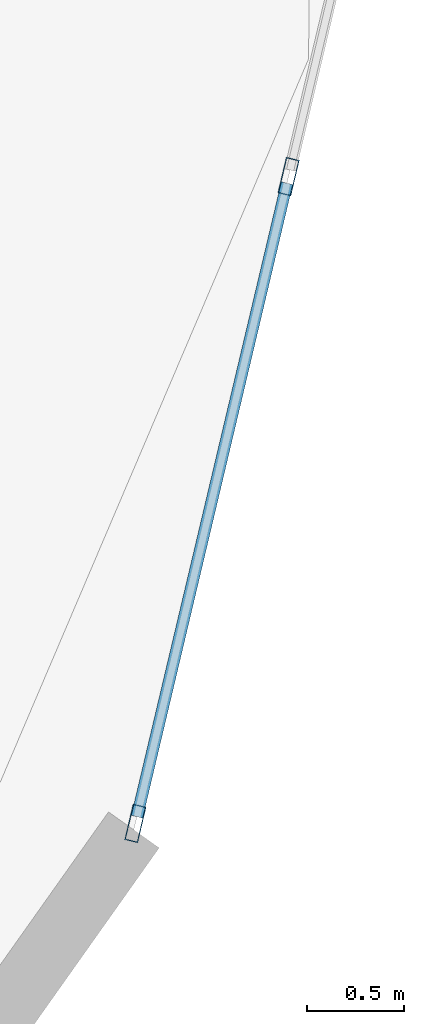
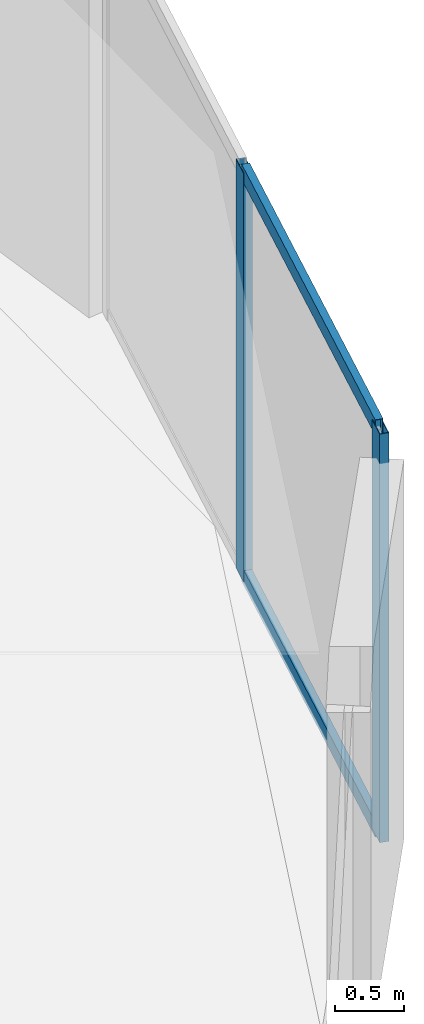
# One storey, part 9 of 24: 4 members, 1 element without a shape of its own.
"""IFC4 building model written with IfcOpenShell, lengths in metres."""

import ifcopenshell
import ifcopenshell.guid

model = None  # the IFC model being written
_history = None  # IfcOwnerHistory: only IFC2X3 demands one
_inside = {}  # id of a spatial element -> (the spatial element, [elements in it])
_under = {}  # id of a project, library or spatial element -> (it, [spatial elements below it])
_declared = {}  # id of a project -> (the project, [libraries it declares])
_typed = {}  # id of a type object -> (the type object, [elements of that type])
_made_of = {}  # id of a material, layer set ... -> (it, [elements and type objects made of it])


def new_model(schema):
    """Start an empty IFC model of exactly this schema.

    Asked for "IFC4X3", IfcOpenShell would pick the latest addendum, in which some entities
    have other attributes; the version numbers below select the first issue.
    IFC2X3 requires an IfcOwnerHistory on every rooted entity: one is made here for all.
    """
    global model, _history
    if schema == "IFC4X3":
        model = ifcopenshell.file(schema_version=(4, 3, 0, 0))
    else:
        model = ifcopenshell.file(schema=schema)
    _inside.clear()
    _under.clear()
    _declared.clear()
    _typed.clear()
    _made_of.clear()
    _history = None
    if model.schema == "IFC2X3":
        org = make("IfcOrganization", Name="unknown")
        user = make(
            "IfcPersonAndOrganization",
            ThePerson=make("IfcPerson", FamilyName="unknown"),
            TheOrganization=org,
        )
        app = make(
            "IfcApplication",
            ApplicationDeveloper=org,
            Version="unknown",
            ApplicationFullName="unknown",
            ApplicationIdentifier="unknown",
        )
        _history = make(
            "IfcOwnerHistory",
            OwningUser=user,
            OwningApplication=app,
            ChangeAction="ADDED",
            CreationDate=0,
        )
    return model


def make(cls, **values):
    """One entity of the class cls with the attributes given. An attribute that is None is left unset."""
    return model.create_entity(
        cls, **{name: value for name, value in values.items() if value is not None}
    )


def rooted(cls, **values):
    """An entity with a GlobalId (a new one), such as an element, a storey or a relation."""
    return make(cls, GlobalId=ifcopenshell.guid.new(), OwnerHistory=_history, **values)


def si_unit(unit_type, name, prefix=None):
    """IfcSIUnit, for example si_unit("LENGTHUNIT", "METRE", prefix="MILLI")."""
    return make("IfcSIUnit", UnitType=unit_type, Prefix=prefix, Name=name)


def assignment(units):
    """IfcUnitAssignment: the units of a project."""
    return None if units is None else make("IfcUnitAssignment", Units=units)


def point(xyz):
    """IfcCartesianPoint."""
    return None if xyz is None else make("IfcCartesianPoint", Coordinates=xyz)


def direction(xyz):
    """IfcDirection."""
    return None if xyz is None else make("IfcDirection", DirectionRatios=xyz)


def frame(location, z_axis=None, x_axis=None):
    """IfcAxis2Placement3D, a coordinate frame: its origin and axes. An axis left out is left unset."""
    return make(
        "IfcAxis2Placement3D",
        Location=point(location),
        Axis=direction(z_axis),
        RefDirection=direction(x_axis),
    )


def frame_2d(location, x_axis=None):
    """IfcAxis2Placement2D, a coordinate frame in the plane: its origin and x axis."""
    return make(
        "IfcAxis2Placement2D", Location=point(location), RefDirection=direction(x_axis)
    )


def origin():
    """The frame at (0, 0, 0) with its axes left unset."""
    return frame((0.0, 0.0, 0.0))


def origin_2d():
    """The frame at (0, 0) in the plane with its x axis left unset."""
    return frame_2d((0.0, 0.0))


def place(relative_to, where):
    """IfcLocalPlacement: puts the frame where relative to a parent placement (None: the world)."""
    return make(
        "IfcLocalPlacement", PlacementRelTo=relative_to, RelativePlacement=where
    )


def context(
    kind, dimensions, precision=None, world=None, true_north=None, identifier=None
):
    """IfcGeometricRepresentationContext, for example the 3D "Model" context."""
    return make(
        "IfcGeometricRepresentationContext",
        ContextIdentifier=identifier,
        ContextType=kind,
        CoordinateSpaceDimension=dimensions,
        Precision=precision,
        WorldCoordinateSystem=world,
        TrueNorth=true_north,
    )


def subcontext(parent, identifier, kind, view, scale=None):
    """IfcGeometricRepresentationSubContext, for example "Body" below "Model"."""
    return make(
        "IfcGeometricRepresentationSubContext",
        ContextIdentifier=identifier,
        ContextType=kind,
        ParentContext=parent,
        TargetScale=scale,
        TargetView=view,
    )


def project(units=None, contexts=None):
    """IfcProject with its units and contexts."""
    return rooted(
        "IfcProject",
        Name="project",
        RepresentationContexts=contexts,
        UnitsInContext=assignment(units),
    )


def spatial(cls, under=None, at=None, **own):
    """A site, building, storey or space (cls), placed at a placement, below another one or the project."""
    s = rooted(cls, ObjectPlacement=at, **own)
    if under is not None:
        _under.setdefault(under.id(), (under, []))[1].append(s)
    return s


def profile(cls, at=None, kind="AREA", **sizes):
    """A parametric profile (cls). Its sizes go by their IFC names, for example OverallWidth=200.0."""
    return make(cls, ProfileType=kind, Position=at, **sizes)


def hollow_rectangle(**sizes):
    """IfcRectangleHollowProfileDef."""
    return profile("IfcRectangleHollowProfileDef", **sizes)


def extrude(swept, where, along, depth):
    """IfcExtrudedAreaSolid: the profile swept, set in the frame where, extruded along a direction by depth."""
    return make(
        "IfcExtrudedAreaSolid",
        SweptArea=swept,
        Position=where,
        ExtrudedDirection=direction(along),
        Depth=depth,
    )


def shape(context_of_items, identifier, shape_type, items):
    """IfcShapeRepresentation: the items that make up one representation, for example the "Body"."""
    return make(
        "IfcShapeRepresentation",
        ContextOfItems=context_of_items,
        RepresentationIdentifier=identifier,
        RepresentationType=shape_type,
        Items=items,
    )


def source(mapping_origin, context_of_items, identifier, shape_type, items):
    """IfcRepresentationMap: a shape defined once, which mapped items show again and again."""
    return make(
        "IfcRepresentationMap",
        MappingOrigin=mapping_origin,
        MappedRepresentation=shape(context_of_items, identifier, shape_type, items),
    )


def transform(
    local_origin,
    x_axis=None,
    y_axis=None,
    z_axis=None,
    scale=None,
    scale2=None,
    scale3=None,
    uniform=True,
):
    """IfcCartesianTransformationOperator3D, or its non-uniform kind. x_axis, y_axis, z_axis: its Axis1, 2, 3."""
    if uniform:
        return make(
            "IfcCartesianTransformationOperator3D",
            Axis1=direction(x_axis),
            Axis2=direction(y_axis),
            LocalOrigin=point(local_origin),
            Scale=scale,
            Axis3=direction(z_axis),
        )
    return make(
        "IfcCartesianTransformationOperator3DnonUniform",
        Axis1=direction(x_axis),
        Axis2=direction(y_axis),
        LocalOrigin=point(local_origin),
        Scale=scale,
        Axis3=direction(z_axis),
        Scale2=scale2,
        Scale3=scale3,
    )


def mapped(mapping_source, mapping_target):
    """IfcMappedItem: shows the shape of a source again, moved by a transform."""
    return make(
        "IfcMappedItem", MappingSource=mapping_source, MappingTarget=mapping_target
    )


def material(Name=None, Category=None):
    """IfcMaterial."""
    return make("IfcMaterial", Name=Name, Category=Category)


def layer(
    of_material, thickness, ventilated=None, Name=None, Category=None, Priority=None
):
    """IfcMaterialLayer: one layer of a wall or slab, of a material (None: an air gap)."""
    return make(
        "IfcMaterialLayer",
        Material=of_material,
        LayerThickness=thickness,
        IsVentilated=ventilated,
        Name=Name,
        Category=Category,
        Priority=Priority,
    )


def layer_set(layers, Name=None):
    """IfcMaterialLayerSet."""
    return make("IfcMaterialLayerSet", MaterialLayers=layers, LayerSetName=Name)


def material_profile(
    of_material, cross_section, Name=None, Category=None, Priority=None
):
    """IfcMaterialProfile: a cross section and its material."""
    return make(
        "IfcMaterialProfile",
        Name=Name,
        Material=of_material,
        Profile=cross_section,
        Priority=Priority,
        Category=Category,
    )


def profile_set(profiles, Name=None, composite=None):
    """IfcMaterialProfileSet."""
    return make(
        "IfcMaterialProfileSet",
        Name=Name,
        MaterialProfiles=profiles,
        CompositeProfile=composite,
    )


def made_of(thing, what):
    """Note that an element or type object is made of a material, layer set ...; save() writes the relation."""
    if what is not None:
        _made_of.setdefault(what.id(), (what, []))[1].append(thing)
    return thing


def type_object(cls, material=None, **own):
    """A type object (cls), such as IfcWallType, which elements share."""
    return made_of(rooted(cls, **own), material)


def element(
    cls,
    number,
    at=None,
    inside=None,
    cuts=None,
    type_object=None,
    material=None,
    context=None,
    identifier="Body",
    shape_type=None,
    held_by="IfcProductDefinitionShape",
    body=None,
    shapes=None,
    **own,
):
    """One element of the class cls, such as IfcWall. Its Tag is "e" and its number.

    at: its placement. inside: the storey or other place that contains it. cuts: it is an
    opening in that element (IfcRelVoidsElement). A single representation is given by context,
    identifier, shape_type and body (its items); several are given by shapes. held_by: the class
    of the entity that holds the representations. save() writes the other relations.
    """
    e = rooted(cls, Tag="e%d" % number, ObjectPlacement=at, **own)
    if body is not None:
        shapes = [shape(context, identifier, shape_type, body)]
    if shapes is not None:
        e.Representation = make(held_by, Representations=shapes)
    if inside is not None:
        _inside.setdefault(inside.id(), (inside, []))[1].append(e)
    if cuts is not None:
        rooted(
            "IfcRelVoidsElement", RelatingBuildingElement=cuts, RelatedOpeningElement=e
        )
    if type_object is not None:
        _typed.setdefault(type_object.id(), (type_object, []))[1].append(e)
    return made_of(e, material)


def aggregate(whole, parts):
    """IfcRelAggregates: a whole, such as a stair, and the parts it consists of."""
    return rooted("IfcRelAggregates", RelatingObject=whole, RelatedObjects=parts)


def save(model, path):
    """Write the relations noted so far, then the file.

    IfcRelAggregates (storeys below a building ...), IfcRelContainedInSpatialStructure (elements
    in a storey), IfcRelDefinesByType, IfcRelAssociatesMaterial and IfcRelDeclares: one each for
    every whole, place, type object, material and project.
    """
    for whole, parts in _under.values():
        aggregate(whole, parts)
    for where, things in _inside.values():
        rooted(
            "IfcRelContainedInSpatialStructure",
            RelatedElements=things,
            RelatingStructure=where,
        )
    for kind, things in _typed.values():
        rooted("IfcRelDefinesByType", RelatedObjects=things, RelatingType=kind)
    for what, things in _made_of.values():
        rooted("IfcRelAssociatesMaterial", RelatedObjects=things, RelatingMaterial=what)
    for by, libraries in _declared.values():
        rooted("IfcRelDeclares", RelatingContext=by, RelatedDefinitions=libraries)
    model.write(path)


model = new_model("IFC4")

# Units and contexts
model_context = context("Model", 3, precision=1e-05, world=origin(), true_north=direction((0.0, 1.0)))
body_context = subcontext(model_context, "Body", "Model", "MODEL_VIEW")
ifc_project = project(units=[si_unit("LENGTHUNIT", "METRE"), si_unit("AREAUNIT", "SQUARE_METRE"), si_unit("VOLUMEUNIT", "CUBIC_METRE"), si_unit("PLANEANGLEUNIT", "RADIAN"), si_unit("MASSUNIT", "GRAM", prefix="KILO")], contexts=[model_context])

# Site, building, storey
site_placement = place(None, origin())
site = spatial("IfcSite", under=ifc_project, at=site_placement, CompositionType="ELEMENT")
building_placement = place(site_placement, origin())
building = spatial("IfcBuilding", under=site, at=building_placement, Name="Solvirekh Grand Hotel", CompositionType="ELEMENT")
storey_placement = place(building_placement, frame((0.0, 0.0, 86.0)))
storey = spatial("IfcBuildingStorey", under=building, at=storey_placement, Name="L21", CompositionType="ELEMENT", Elevation=86.0)

# Curtain wall, members
ifc_material = material(Name="Anodized Bronze Aluminium 6063-T6", Category="aluminium")
ifc_layer = layer(ifc_material, 0.18994140625)
ifc_layer_set = layer_set([ifc_layer], Name="Anodized Bronze Aluminium 6063-T6")
curtain_wall_type = type_object("IfcCurtainWallType", Name="CW_Sys2_LowZoneFlushBronzeCW", PredefinedType="NOTDEFINED", material=ifc_layer_set)
curtain_wall_placement = place(storey_placement, origin())
curtain_wall = element("IfcCurtainWall", 1, at=curtain_wall_placement, inside=storey, type_object=curtain_wall_type, Name="L21 unitised bronze-glass curtain wall CW-L21-C01", PredefinedType="NOTDEFINED")
ifc_material_profile_1 = material_profile(ifc_material, hollow_rectangle(XDim=0.070068359375, YDim=0.18994140625, WallThickness=0.0048828125, at=origin_2d()), Name="ALU RHS 190X70X5")
ifc_profile_set_1 = profile_set([ifc_material_profile_1], Name="Anodized Bronze Aluminium 6063-T6")
member_type_1 = type_object("IfcMemberType", Name="CWMullion_Sys2", PredefinedType="MULLION", material=ifc_profile_set_1)
shared_shape_1 = source(origin(), body_context, "Body", "SweptSolid", [
    extrude(hollow_rectangle(XDim=0.070068359375, YDim=0.18994140625, WallThickness=0.0048828125, at=origin_2d()), origin(), (0.0, 0.0, 1.0), 3.60009765625),
])
member_1_placement = place(storey_placement, frame((25.761962890625, -11.0849609375, 0.0), z_axis=(0.0, 0.0, 1.0), x_axis=(-0.973082843945, 0.230455589692, 0.0)))
member_1 = element("IfcMember", 2, at=member_1_placement, type_object=member_type_1, Name="U02 mullion 1", PredefinedType="MULLION", context=body_context, shape_type="MappedRepresentation", body=[
    mapped(shared_shape_1, transform((0.0, 0.0, 0.0), x_axis=(1.0, 0.0, 0.0), y_axis=(0.0, 1.0, 0.0), z_axis=(0.0, 0.0, 1.0), scale=1.0)),
])
member_2_placement = place(storey_placement, frame((26.552001953125, -7.74951171875, 0.0), z_axis=(0.0, 0.0, 1.0), x_axis=(-0.973082843945, 0.230455589692, 0.0)))
member_2 = element("IfcMember", 3, at=member_2_placement, type_object=member_type_1, Name="U02 mullion 2", PredefinedType="MULLION", context=body_context, shape_type="MappedRepresentation", body=[
    mapped(shared_shape_1, transform((0.0, 0.0, 0.0), x_axis=(1.0, 0.0, 0.0), y_axis=(0.0, 1.0, 0.0), z_axis=(0.0, 0.0, 1.0), scale=1.0)),
])
ifc_material_profile_2 = material_profile(ifc_material, hollow_rectangle(XDim=0.06005859375, YDim=0.135009765625, WallThickness=0.00390625, at=origin_2d()), Name="ALU RHS 135X60X4")
ifc_profile_set_2 = profile_set([ifc_material_profile_2], Name="Anodized Bronze Aluminium 6063-T6")
member_type_2 = type_object("IfcMemberType", Name="CWTransom_Sys2", PredefinedType="USERDEFINED", material=ifc_profile_set_2)
shared_shape_2 = source(origin(), body_context, "Body", "SweptSolid", [
    extrude(hollow_rectangle(XDim=0.06005859375, YDim=0.135009765625, WallThickness=0.00390625, at=origin_2d()), origin(), (0.0, 0.0, 1.0), 3.357666015625),
])
member_3_placement = place(storey_placement, frame((25.77001953125, -11.05078125, 0.030029296875), z_axis=(0.230489937006, 0.973074708817, 0.0), x_axis=(-0.973074708817, 0.230489937006, 0.0)))
member_3 = element("IfcMember", 4, at=member_3_placement, type_object=member_type_2, Name="U02 transom 1.1", ObjectType="TRANSOM", PredefinedType="USERDEFINED", context=body_context, shape_type="MappedRepresentation", body=[
    mapped(shared_shape_2, transform((0.0, 0.0, 0.0), x_axis=(1.0, 0.0, 0.0), y_axis=(0.0, 1.0, 0.0), z_axis=(0.0, 0.0, 1.0), scale=1.0)),
])
member_4_placement = place(storey_placement, frame((25.77001953125, -11.05078125, 3.570068359375), z_axis=(0.230489937006, 0.973074708817, 0.0), x_axis=(-0.973074708817, 0.230489937006, 0.0)))
member_4 = element("IfcMember", 5, at=member_4_placement, type_object=member_type_2, Name="U02 transom 1.2", ObjectType="TRANSOM", PredefinedType="USERDEFINED", context=body_context, shape_type="MappedRepresentation", body=[
    mapped(shared_shape_2, transform((0.0, 0.0, 0.0), x_axis=(1.0, 0.0, 0.0), y_axis=(0.0, 1.0, 0.0), z_axis=(0.0, 0.0, 1.0), scale=1.0)),
])
aggregate(curtain_wall, [member_1, member_2, member_3, member_4])

save(model, "model.ifc")
